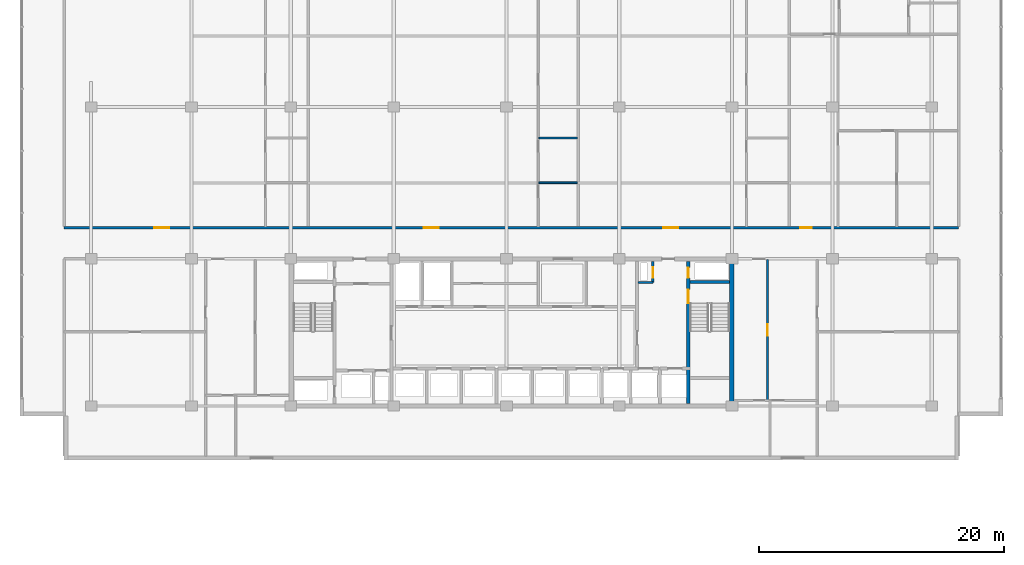
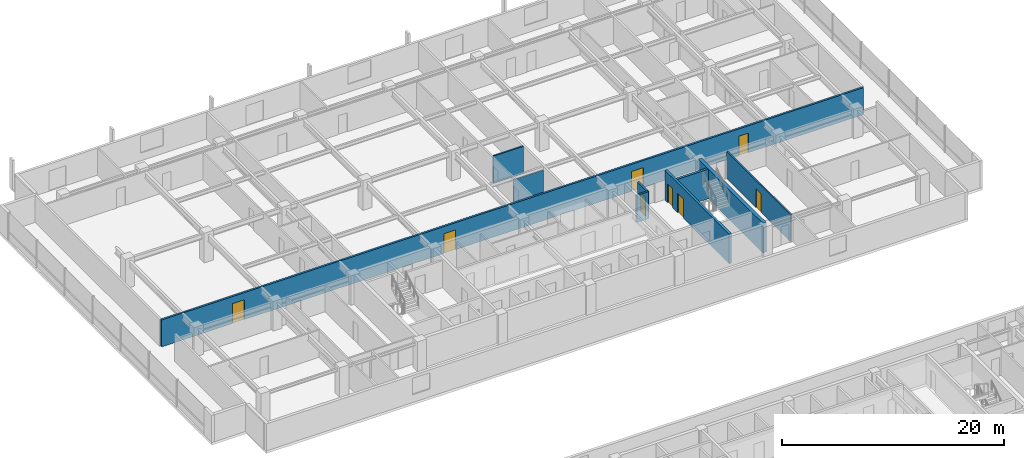
# One storey, part 29 of 38: 9 walls, 8 doors, 8 openings.
"""IFC4 building model written with IfcOpenShell, lengths in metres."""

from ifc_helpers import new_model, si_unit, direction, frame, frame_2d, origin, place, context, subcontext, project, spatial, rectangle, extrude, material, layer, layer_set, type_object, element, fill, save


model = new_model("IFC4")

# Units and contexts
model_context = context("Model", 3, precision=1e-05, world=origin(), true_north=direction((0.0, 1.0)))
body_context = subcontext(model_context, "Body", "Model", "MODEL_VIEW")
ifc_project = project(units=[si_unit("LENGTHUNIT", "METRE"), si_unit("AREAUNIT", "SQUARE_METRE"), si_unit("VOLUMEUNIT", "CUBIC_METRE"), si_unit("PLANEANGLEUNIT", "RADIAN"), si_unit("MASSUNIT", "GRAM", prefix="KILO")], contexts=[model_context])

# Site, building, storey
site_placement = place(None, origin())
site = spatial("IfcSite", under=ifc_project, at=site_placement, CompositionType="ELEMENT")
building_placement = place(site_placement, origin())
building = spatial("IfcBuilding", under=site, at=building_placement, Name="Korimba Cascade Residences", CompositionType="ELEMENT")
storey_placement = place(building_placement, frame((0.0, 0.0, 93.800048828125)))
storey = spatial("IfcBuildingStorey", under=building, at=storey_placement, Name="L26", CompositionType="ELEMENT", Elevation=93.800048828125)

# Wall
ifc_material_1 = material(Name="Concrete C65/80", Category="concrete")
ifc_layer_1 = layer(ifc_material_1, 0.35009765625)
ifc_layer_set_1 = layer_set([ifc_layer_1], Name="Concrete C65/80")
wall_type_1 = type_object("IfcWallType", Name="WAL-CORE-350", PredefinedType="SHEAR", material=ifc_layer_set_1)
wall_1_placement = place(storey_placement, frame((112.074951171875, 55.375, 0.0), z_axis=(0.0, 0.0, 1.0), x_axis=(0.0, 1.0, 0.0)))
element("IfcWall", 1, at=wall_1_placement, inside=storey, type_object=wall_type_1, Name="L26 Core Shear Wall CW-L26-T1-E", PredefinedType="SHEAR", context=body_context, shape_type="SweptSolid", body=[
    extrude(rectangle(XDim=11.64990234375, YDim=0.35009765625, at=frame_2d((5.824951171875, 0.0))), origin(), (0.0, 0.0, 1.0), 3.25),
])

# Wall, openings, doors
ifc_material_2 = material(Name="Precast concrete C40/50", Category="concrete")
ifc_layer_2 = layer(ifc_material_2, 0.199951171875)
ifc_layer_set_2 = layer_set([ifc_layer_2], Name="Precast concrete C40/50")
wall_type_2 = type_object("IfcWallType", Name="WAL-IT-200", PredefinedType="PARTITIONING", material=ifc_layer_set_2)
wall_2_placement = place(storey_placement, frame((57.60009765625, 69.75, 0.0), z_axis=(0.0, 0.0, 1.0), x_axis=(1.0, 0.0, 0.0)))
wall_2 = element("IfcWall", 2, at=wall_2_placement, inside=storey, type_object=wall_type_2, Name="L26 Partition Wall WAL-L26-T1-CORN", PredefinedType="PARTITIONING", context=body_context, shape_type="SweptSolid", body=[
    extrude(rectangle(XDim=73.0, YDim=0.199951171875, at=frame_2d((36.5, 0.0))), origin(), (0.0, 0.0, 1.0), 2.969970703125),
])
opening_1_placement = place(wall_2_placement, frame((7.372314453125, 0.0, 0.0)))
opening_1 = element("IfcOpeningElement", 3, at=opening_1_placement, cuts=wall_2, Name="Opening D-AM1", PredefinedType="OPENING", context=body_context, shape_type="SweptSolid", body=[
    extrude(rectangle(XDim=1.219970703125, YDim=2.179931640625, at=frame_2d((0.60986328125, 1.08984375))), frame((0.0, 0.10986328125, 0.0), z_axis=(0.0, -1.0, 0.0), x_axis=(1.0, 0.0, 0.0)), (0.0, 0.0, 1.0), 0.219970703125),
])
opening_2_placement = place(wall_2_placement, frame((29.3681640625, 0.0, 0.0)))
opening_2 = element("IfcOpeningElement", 4, at=opening_2_placement, cuts=wall_2, Name="Opening D-AM1", PredefinedType="OPENING", context=body_context, shape_type="SweptSolid", body=[
    extrude(rectangle(XDim=1.219970703125, YDim=2.179931640625, at=frame_2d((0.60986328125, 1.08984375))), frame((0.0, 0.10986328125, 0.0), z_axis=(0.0, -1.0, 0.0), x_axis=(1.0, 0.0, 0.0)), (0.0, 0.0, 1.0), 0.219970703125),
])
opening_3_placement = place(wall_2_placement, frame((48.88037109375, 0.0, 0.0)))
opening_3 = element("IfcOpeningElement", 5, at=opening_3_placement, cuts=wall_2, Name="Opening D-AM1", PredefinedType="OPENING", context=body_context, shape_type="SweptSolid", body=[
    extrude(rectangle(XDim=1.219970703125, YDim=2.179931640625, at=frame_2d((0.60986328125, 1.08984375))), frame((0.0, 0.10986328125, 0.0), z_axis=(0.0, -1.0, 0.0), x_axis=(1.0, 0.0, 0.0)), (0.0, 0.0, 1.0), 0.219970703125),
])
opening_4_placement = place(wall_2_placement, frame((60.080810546875, 0.0, 0.0)))
opening_4 = element("IfcOpeningElement", 6, at=opening_4_placement, cuts=wall_2, Name="Opening D-UN1", PredefinedType="OPENING", context=body_context, shape_type="SweptSolid", body=[
    extrude(rectangle(XDim=0.949951171875, YDim=2.14990234375, at=frame_2d((0.47509765625, 1.074951171875))), frame((0.0, 0.10986328125, 0.0), z_axis=(0.0, -1.0, 0.0), x_axis=(1.0, 0.0, 0.0)), (0.0, 0.0, 1.0), 0.219970703125),
])
ifc_material_3 = material(Name="Fire-Rated Glazed Timber Suite Door", Category="wood")
door_type_1 = type_object("IfcDoorType", Name="DR-FD60-1200", OperationType="NOTDEFINED", PredefinedType="DOOR", material=ifc_material_3)
door_1_placement = place(opening_1_placement, origin())
door_1 = element("IfcDoor", 7, at=door_1_placement, inside=storey, type_object=door_type_1, Name="L26-T1-U01 Transfer Reception Foyer Door", OperationType="SINGLE_SWING_RIGHT", OverallHeight=2.179931640625, OverallWidth=1.219970703125, PredefinedType="DOOR", context=body_context, shape_type="SweptSolid", body=[
    extrude(rectangle(XDim=1.219970703125, YDim=2.179931640625, at=frame_2d((0.60986328125, 1.08984375))), frame((0.0, 0.02490234375, 0.0), z_axis=(0.0, -1.0, 0.0), x_axis=(1.0, 0.0, 0.0)), (0.0, 0.0, 1.0), 0.050048828125),
])
fill(opening_1, door_1)
door_2_placement = place(opening_2_placement, origin())
door_2 = element("IfcDoor", 8, at=door_2_placement, inside=storey, type_object=door_type_1, Name="L26-T1-U02 Transfer Reception Foyer Door", OperationType="SINGLE_SWING_LEFT", OverallHeight=2.179931640625, OverallWidth=1.219970703125, PredefinedType="DOOR", context=body_context, shape_type="SweptSolid", body=[
    extrude(rectangle(XDim=1.219970703125, YDim=2.179931640625, at=frame_2d((0.60986328125, 1.08984375))), frame((0.0, 0.02490234375, 0.0), z_axis=(0.0, -1.0, 0.0), x_axis=(1.0, 0.0, 0.0)), (0.0, 0.0, 1.0), 0.050048828125),
])
fill(opening_2, door_2)
door_3_placement = place(opening_3_placement, origin())
door_3 = element("IfcDoor", 9, at=door_3_placement, inside=storey, type_object=door_type_1, Name="L26-T1-U03 Resident Conference Room Door", OperationType="SINGLE_SWING_RIGHT", OverallHeight=2.179931640625, OverallWidth=1.219970703125, PredefinedType="DOOR", context=body_context, shape_type="SweptSolid", body=[
    extrude(rectangle(XDim=1.219970703125, YDim=2.179931640625, at=frame_2d((0.60986328125, 1.08984375))), frame((0.0, 0.02490234375, 0.0), z_axis=(0.0, -1.0, 0.0), x_axis=(1.0, 0.0, 0.0)), (0.0, 0.0, 1.0), 0.050048828125),
])
fill(opening_3, door_3)
ifc_material_4 = material(Name="Fire-Rated Hardwood Apartment Entrance Door", Category="wood")
door_type_2 = type_object("IfcDoorType", Name="DR-FD60-950", OperationType="NOTDEFINED", PredefinedType="DOOR", material=ifc_material_4)
door_4_placement = place(opening_4_placement, origin())
door_4 = element("IfcDoor", 10, at=door_4_placement, inside=storey, type_object=door_type_2, Name="Unit L26-T1-U04 Entrance Door", OperationType="SINGLE_SWING_LEFT", OverallHeight=2.14990234375, OverallWidth=0.949951171875, PredefinedType="DOOR", context=body_context, shape_type="SweptSolid", body=[
    extrude(rectangle(XDim=0.949951171875, YDim=2.14990234375, at=frame_2d((0.47509765625, 1.074951171875))), frame((0.0, 0.02490234375, 0.0), z_axis=(0.0, -1.0, 0.0), x_axis=(1.0, 0.0, 0.0)), (0.0, 0.0, 1.0), 0.050048828125),
])
fill(opening_4, door_4)

# Wall, opening, door
ifc_material_5 = material(Name="Insulated Acoustic Stud Partition", Category="gypsum")
ifc_layer_3 = layer(ifc_material_5, 0.14990234375)
ifc_layer_set_3 = layer_set([ifc_layer_3], Name="Insulated Acoustic Stud Partition")
wall_type_3 = type_object("IfcWallType", Name="WAL-PART-150", PredefinedType="PARTITIONING", material=ifc_layer_set_3)
wall_3_placement = place(storey_placement, frame((115.0, 55.64990234375, 0.0), z_axis=(0.0, 0.0, 1.0), x_axis=(0.0, 1.0, 0.0)))
wall_3 = element("IfcWall", 11, at=wall_3_placement, inside=storey, type_object=wall_type_3, Name="L26 Partition Wall WAL-L26-T1-FE-VN", PredefinedType="PARTITIONING", context=body_context, shape_type="SweptSolid", body=[
    extrude(rectangle(XDim=11.5, YDim=0.14990234375, at=frame_2d((5.75, 0.0))), origin(), (0.0, 0.0, 1.0), 2.969970703125),
])
opening_5_placement = place(wall_3_placement, frame((5.2900390625, 0.0, 0.0)))
opening_5 = element("IfcOpeningElement", 12, at=opening_5_placement, cuts=wall_3, Name="Opening D-IN1", PredefinedType="OPENING", context=body_context, shape_type="SweptSolid", body=[
    extrude(rectangle(XDim=0.919921875, YDim=2.080078125, at=frame_2d((0.4599609375, 1.0400390625))), frame((0.0, 0.0849609375, 0.0), z_axis=(0.0, -1.0, 0.0), x_axis=(1.0, 0.0, 0.0)), (0.0, 0.0, 1.0), 0.169921875),
])
ifc_material_6 = material(Name="Acoustic Timber Living Door", Category="wood")
door_type_3 = type_object("IfcDoorType", Name="DR-INT-920", OperationType="NOTDEFINED", PredefinedType="DOOR", material=ifc_material_6)
door_5_placement = place(opening_5_placement, origin())
door_5 = element("IfcDoor", 13, at=door_5_placement, inside=storey, type_object=door_type_3, Name="L26-T1-FE Living Door", OperationType="SINGLE_SWING_RIGHT", OverallHeight=2.080078125, OverallWidth=0.919921875, PredefinedType="DOOR", context=body_context, shape_type="SweptSolid", body=[
    extrude(rectangle(XDim=0.919921875, YDim=2.080078125, at=frame_2d((0.4599609375, 1.0400390625))), frame((0.0, 0.02490234375, 0.0), z_axis=(0.0, -1.0, 0.0), x_axis=(1.0, 0.0, 0.0)), (0.0, 0.0, 1.0), 0.050048828125),
])
fill(opening_5, door_5)

# Walls
wall_4_placement = place(storey_placement, frame((96.347900390625, 73.419921875, 0.0), z_axis=(0.0, 0.0, 1.0), x_axis=(1.0, 0.0, 0.0)))
element("IfcWall", 14, at=wall_4_placement, inside=storey, type_object=wall_type_3, Name="L26 Partition Wall WAL-L26-T1-U02-WCH", PredefinedType="PARTITIONING", context=body_context, shape_type="SweptSolid", body=[
    extrude(rectangle(XDim=3.130126953125, YDim=0.14990234375, at=frame_2d((1.56494140625, 0.0))), origin(), (0.0, 0.0, 1.0), 2.560546875),
])
wall_5_placement = place(storey_placement, frame((96.347900390625, 77.070068359375, 0.0), z_axis=(0.0, 0.0, 1.0), x_axis=(1.0, 0.0, 0.0)))
element("IfcWall", 15, at=wall_5_placement, inside=storey, type_object=wall_type_3, Name="L26 Partition Wall WAL-L26-T1-U02-WCH2", PredefinedType="PARTITIONING", context=body_context, shape_type="SweptSolid", body=[
    extrude(rectangle(XDim=3.130126953125, YDim=0.14990234375, at=frame_2d((1.56494140625, 0.0))), origin(), (0.0, 0.0, 1.0), 2.969970703125),
])
ifc_material_7 = material(Name="Concrete C40/50", Category="concrete")
ifc_layer_4 = layer(ifc_material_7, 0.199951171875)
ifc_layer_set_4 = layer_set([ifc_layer_4], Name="Concrete C40/50")
wall_type_4 = type_object("IfcWallType", Name="WAL-PART-200", PredefinedType="PARTITIONING", material=ifc_layer_set_4)
wall_6_placement = place(storey_placement, frame((104.449951171875, 65.280029296875, 0.0), z_axis=(0.0, 0.0, 1.0), x_axis=(1.0, 0.0, 0.0)))
element("IfcWall", 16, at=wall_6_placement, inside=storey, type_object=wall_type_4, Name="L26 Partition Wall CW-L26-T1-HYDW2S", PredefinedType="PARTITIONING", context=body_context, shape_type="SweptSolid", body=[
    extrude(rectangle(XDim=1.199951171875, YDim=0.199951171875, at=frame_2d((0.60009765625, 0.0))), origin(), (0.0, 0.0, 1.0), 2.969970703125),
])

# Wall, opening, door
wall_7_placement = place(storey_placement, frame((105.64990234375, 65.280029296875, 0.0), z_axis=(0.0, 0.0, 1.0), x_axis=(0.0, 1.0, 0.0)))
wall_7 = element("IfcWall", 17, at=wall_7_placement, inside=storey, type_object=wall_type_4, Name="L26 Partition Wall CW-L26-T1-HYDW2E", PredefinedType="PARTITIONING", context=body_context, shape_type="SweptSolid", body=[
    extrude(rectangle(XDim=1.719970703125, YDim=0.199951171875, at=frame_2d((0.85986328125, 0.0))), origin(), (0.0, 0.0, 1.0), 2.969970703125),
])
opening_6_placement = place(wall_7_placement, frame((0.39990234375, 0.0, 0.0)))
opening_6 = element("IfcOpeningElement", 18, at=opening_6_placement, cuts=wall_7, Name="Opening D-RS1", PredefinedType="OPENING", context=body_context, shape_type="SweptSolid", body=[
    extrude(rectangle(XDim=0.85009765625, YDim=2.050048828125, at=frame_2d((0.425048828125, 1.02490234375))), frame((0.0, 0.10986328125, 0.0), z_axis=(0.0, -1.0, 0.0), x_axis=(1.0, 0.0, 0.0)), (0.0, 0.0, 1.0), 0.219970703125),
])
ifc_material_8 = material(Name="Fire-Rated Steel Riser Access Door", Category="steel")
door_type_4 = type_object("IfcDoorType", Name="DR-FD60-850", OperationType="NOTDEFINED", PredefinedType="DOOR", material=ifc_material_8)
door_6_placement = place(opening_6_placement, origin())
door_6 = element("IfcDoor", 19, at=door_6_placement, inside=storey, type_object=door_type_4, Name="L26 East Hydrant Door", OperationType="SINGLE_SWING_RIGHT", OverallHeight=2.050048828125, OverallWidth=0.85009765625, PredefinedType="DOOR", context=body_context, shape_type="SweptSolid", body=[
    extrude(rectangle(XDim=0.85009765625, YDim=2.050048828125, at=frame_2d((0.425048828125, 1.02490234375))), frame((0.0, 0.02490234375, 0.0), z_axis=(0.0, -1.0, 0.0), x_axis=(1.0, 0.0, 0.0)), (0.0, 0.0, 1.0), 0.050048828125),
])
fill(opening_6, door_6)

# Wall, openings, doors
ifc_material_9 = material(Name="Concrete C50/60", Category="concrete")
ifc_layer_5 = layer(ifc_material_9, 0.25)
ifc_layer_set_5 = layer_set([ifc_layer_5], Name="Concrete C50/60")
wall_type_5 = type_object("IfcWallType", Name="WAL-SHAFT-250", PredefinedType="SHEAR", material=ifc_layer_set_5)
wall_8_placement = place(storey_placement, frame((108.534912109375, 55.39990234375, 0.0), z_axis=(0.0, 0.0, 1.0), x_axis=(0.0, 1.0, 0.0)))
wall_8 = element("IfcWall", 20, at=wall_8_placement, inside=storey, type_object=wall_type_5, Name="L26 Core Shear Wall CW-L26-T1-STW2W", PredefinedType="SHEAR", context=body_context, shape_type="SweptSolid", body=[
    extrude(rectangle(XDim=11.60009765625, YDim=0.25, at=frame_2d((5.800048828125, 0.0))), origin(), (0.0, 0.0, 1.0), 3.25),
])
opening_7_placement = place(wall_8_placement, frame((8.199951171875, 0.0, 0.0)))
opening_7 = element("IfcOpeningElement", 21, at=opening_7_placement, cuts=wall_8, Name="Opening D-FD1", PredefinedType="OPENING", context=body_context, shape_type="SweptSolid", body=[
    extrude(rectangle(XDim=1.10009765625, YDim=2.10009765625, at=frame_2d((0.550048828125, 1.050048828125))), frame((0.0, 0.135009765625, 0.0), z_axis=(0.0, -1.0, 0.0), x_axis=(1.0, 0.0, 0.0)), (0.0, 0.0, 1.0), 0.27001953125),
])
opening_8_placement = place(wall_8_placement, frame((10.25, 0.0, 0.0)))
opening_8 = element("IfcOpeningElement", 22, at=opening_8_placement, cuts=wall_8, Name="Opening D-RS1", PredefinedType="OPENING", context=body_context, shape_type="SweptSolid", body=[
    extrude(rectangle(XDim=0.85009765625, YDim=2.050048828125, at=frame_2d((0.425048828125, 1.02490234375))), frame((0.0, 0.135009765625, 0.0), z_axis=(0.0, -1.0, 0.0), x_axis=(1.0, 0.0, 0.0)), (0.0, 0.0, 1.0), 0.27001953125),
])
ifc_material_10 = material(Name="Fire-Rated Steel Core Door", Category="steel")
door_type_5 = type_object("IfcDoorType", Name="DR-FD120-1100", OperationType="NOTDEFINED", PredefinedType="DOOR", material=ifc_material_10)
door_7_placement = place(opening_7_placement, origin())
door_7 = element("IfcDoor", 23, at=door_7_placement, inside=storey, type_object=door_type_5, Name="L26 Fire Stair ST-W2 Door", OperationType="SINGLE_SWING_RIGHT", OverallHeight=2.10009765625, OverallWidth=1.10009765625, PredefinedType="DOOR", context=body_context, shape_type="SweptSolid", body=[
    extrude(rectangle(XDim=1.10009765625, YDim=2.10009765625, at=frame_2d((0.550048828125, 1.050048828125))), frame((0.0, 0.02490234375, 0.0), z_axis=(0.0, -1.0, 0.0), x_axis=(1.0, 0.0, 0.0)), (0.0, 0.0, 1.0), 0.050048828125),
])
fill(opening_7, door_7)
door_8_placement = place(opening_8_placement, origin())
door_8 = element("IfcDoor", 24, at=door_8_placement, inside=storey, type_object=door_type_4, Name="L26 East Riser Door", OperationType="SINGLE_SWING_LEFT", OverallHeight=2.050048828125, OverallWidth=0.85009765625, PredefinedType="DOOR", context=body_context, shape_type="SweptSolid", body=[
    extrude(rectangle(XDim=0.85009765625, YDim=2.050048828125, at=frame_2d((0.425048828125, 1.02490234375))), frame((0.0, 0.02490234375, 0.0), z_axis=(0.0, -1.0, 0.0), x_axis=(1.0, 0.0, 0.0)), (0.0, 0.0, 1.0), 0.050048828125),
])
fill(opening_8, door_8)

# Wall
wall_9_placement = place(storey_placement, frame((108.659912109375, 65.324951171875, 0.0), z_axis=(0.0, 0.0, 1.0), x_axis=(1.0, 0.0, 0.0)))
element("IfcWall", 25, at=wall_9_placement, inside=storey, type_object=wall_type_5, Name="L26 Core Shear Wall CW-L26-T1-STW2N", PredefinedType="SHEAR", context=body_context, shape_type="SweptSolid", body=[
    extrude(rectangle(XDim=3.239990234375, YDim=0.25, at=frame_2d((1.6201171875, 0.0))), origin(), (0.0, 0.0, 1.0), 3.25),
])

save(model, "model.ifc")
